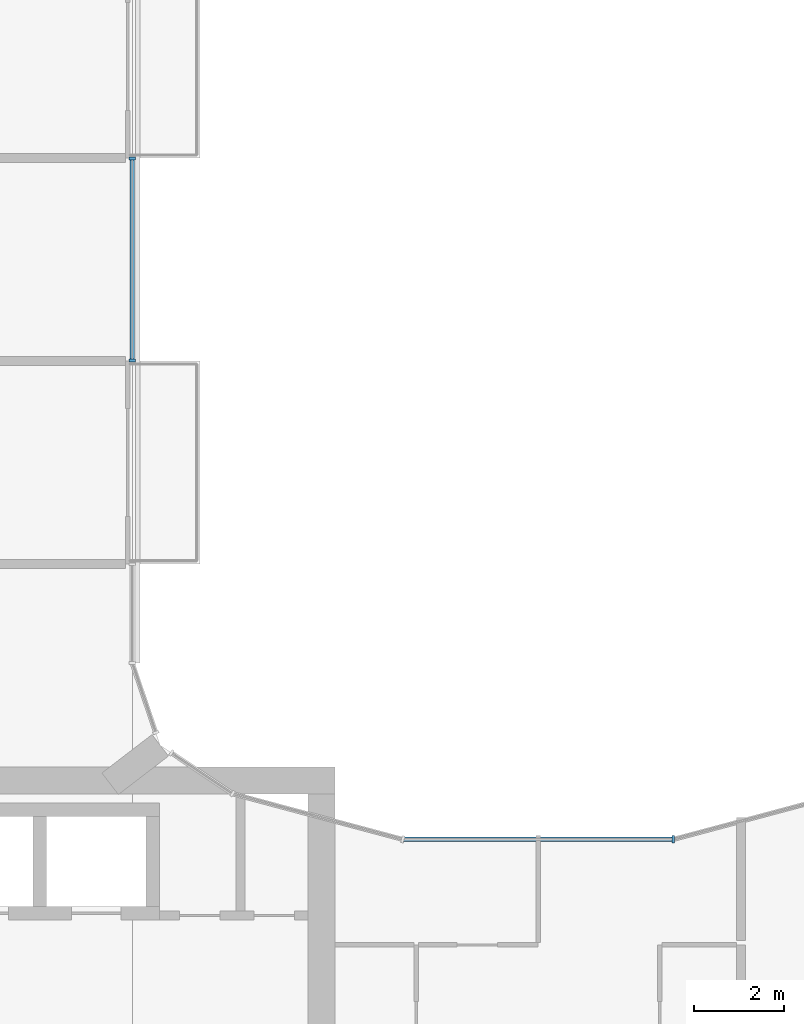
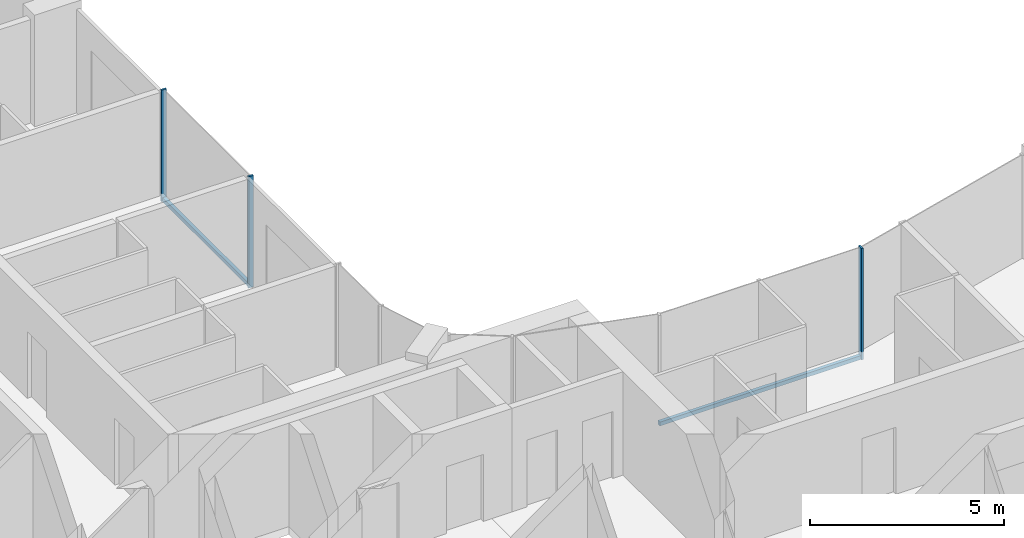
# One storey, part 5 of 17: 5 members, 2 elements without a shape of their own.
"""IFC4 building model written with IfcOpenShell, lengths in metres."""

from ifc_helpers import new_model, si_unit, direction, frame, origin, origin_2d, place, context, subcontext, project, spatial, rectangle, extrude, material, layer, layer_set, material_profile, profile_set, type_object, element, aggregate, save


model = new_model("IFC4")

# Units and contexts
model_context = context("Model", 3, precision=1e-05, world=origin(), true_north=direction((0.0, 1.0)))
body_context = subcontext(model_context, "Body", "Model", "MODEL_VIEW")
ifc_project = project(units=[si_unit("LENGTHUNIT", "METRE"), si_unit("AREAUNIT", "SQUARE_METRE"), si_unit("VOLUMEUNIT", "CUBIC_METRE"), si_unit("PLANEANGLEUNIT", "RADIAN"), si_unit("MASSUNIT", "GRAM", prefix="KILO")], contexts=[model_context])

# Site, building, storey
site_placement = place(None, origin())
site = spatial("IfcSite", under=ifc_project, at=site_placement, CompositionType="ELEMENT")
building_placement = place(site_placement, origin())
building = spatial("IfcBuilding", under=site, at=building_placement, Name="Plateau Cross Towers", CompositionType="ELEMENT")
storey_placement = place(building_placement, frame((0.0, 0.0, 142.89990234375)))
storey = spatial("IfcBuildingStorey", under=building, at=storey_placement, Name="L36", CompositionType="ELEMENT", Elevation=142.89990234375)

# Curtain wall, members
ifc_material_1 = material(Name="Dark low-iron glass", Category="glass")
ifc_layer_1 = layer(ifc_material_1, 0.239990234375)
ifc_layer_set_1 = layer_set([ifc_layer_1], Name="Dark low-iron glass")
curtain_wall_type_1 = type_object("IfcCurtainWallType", Name="Curtain wall flush unitised CW-B", PredefinedType="NOTDEFINED", material=ifc_layer_set_1)
curtain_wall_1_placement = place(storey_placement, origin())
curtain_wall_1 = element("IfcCurtainWall", 1, at=curtain_wall_1_placement, inside=storey, type_object=curtain_wall_type_1, Name="ENV/A/L36/A180_270", PredefinedType="NOTDEFINED")
ifc_material_2 = material(Name="Black anodised aluminium", Category="aluminium")
ifc_material_profile_1 = material_profile(ifc_material_2, rectangle(XDim=0.06005859375, YDim=0.139892578125, at=origin_2d()), Name="MULLION 60x140")
ifc_profile_set_1 = profile_set([ifc_material_profile_1], Name="Black anodised aluminium")
member_type_1 = type_object("IfcMemberType", Name="Mullion 60x140 flush unitised", PredefinedType="MULLION", material=ifc_profile_set_1)
member_1_placement = place(storey_placement, frame((18.0, 27.010009765625, -0.25), z_axis=(0.0, 0.0, 1.0), x_axis=(0.0, 1.0, 0.0)))
member_1 = element("IfcMember", 2, at=member_1_placement, type_object=member_type_1, Name="CW-B mullion 1", PredefinedType="MULLION", context=body_context, shape_type="SweptSolid", body=[
    extrude(rectangle(XDim=0.06005859375, YDim=0.139892578125, at=origin_2d()), origin(), (0.0, 0.0, 1.0), 3.5),
])
member_2_placement = place(storey_placement, frame((18.0, 31.489990234375, -0.25), z_axis=(0.0, 0.0, 1.0), x_axis=(0.0, 1.0, 0.0)))
member_2 = element("IfcMember", 3, at=member_2_placement, type_object=member_type_1, Name="CW-B mullion 2", PredefinedType="MULLION", context=body_context, shape_type="SweptSolid", body=[
    extrude(rectangle(XDim=0.06005859375, YDim=0.139892578125, at=origin_2d()), origin(), (0.0, 0.0, 1.0), 3.5),
])

# Curtain wall, member
ifc_layer_2 = layer(ifc_material_1, 0.260009765625)
ifc_layer_set_2 = layer_set([ifc_layer_2], Name="Dark low-iron glass")
curtain_wall_type_2 = type_object("IfcCurtainWallType", Name="Curtain wall fluted unitised CW-A", PredefinedType="NOTDEFINED", material=ifc_layer_set_2)
curtain_wall_2_placement = place(storey_placement, origin())
curtain_wall_2 = element("IfcCurtainWall", 4, at=curtain_wall_2_placement, inside=storey, type_object=curtain_wall_type_2, Name="ENV/A/L36/A300_164", PredefinedType="NOTDEFINED")
ifc_material_profile_2 = material_profile(ifc_material_2, rectangle(XDim=0.06005859375, YDim=0.159912109375, at=origin_2d()), Name="MULLION 60x160")
ifc_profile_set_2 = profile_set([ifc_material_profile_2], Name="Black anodised aluminium")
member_type_2 = type_object("IfcMemberType", Name="Mullion 60x160 fluted unitised", PredefinedType="MULLION", material=ifc_profile_set_2)
member_3_placement = place(storey_placement, frame((30.0, 16.39306640625, -0.25), z_axis=(0.0, 0.0, 1.0), x_axis=(-1.0, 0.0, 0.0)))
member_3 = element("IfcMember", 5, at=member_3_placement, type_object=member_type_2, Name="CW-A mullion 1", PredefinedType="MULLION", context=body_context, shape_type="SweptSolid", body=[
    extrude(rectangle(XDim=0.06005859375, YDim=0.159912109375, at=origin_2d()), origin(), (0.0, 0.0, 1.0), 3.5),
])

# Member
ifc_material_profile_3 = material_profile(ifc_material_2, rectangle(XDim=0.10009765625, YDim=0.1201171875, at=origin_2d()), Name="TRANSOM 100x120")
ifc_profile_set_3 = profile_set([ifc_material_profile_3], Name="Black anodised aluminium")
member_type_3 = type_object("IfcMemberType", Name="Transom 100x120 flush unitised", PredefinedType="USERDEFINED", material=ifc_profile_set_3)
member_4_placement = place(storey_placement, frame((18.0, 27.010009765625, -0.18994140625), z_axis=(0.0, 1.0, 0.0), x_axis=(-1.0, 0.0, 0.0)))
member_4 = element("IfcMember", 6, at=member_4_placement, type_object=member_type_3, Name="CW-B transom", ObjectType="TRANSOM", PredefinedType="USERDEFINED", context=body_context, shape_type="SweptSolid", body=[
    extrude(rectangle(XDim=0.10009765625, YDim=0.1201171875, at=origin_2d()), origin(), (0.0, 0.0, 1.0), 4.47998046875),
])

aggregate(curtain_wall_1, [member_1, member_2, member_4])

ifc_material_profile_4 = material_profile(ifc_material_2, rectangle(XDim=0.10009765625, YDim=0.1201171875, at=origin_2d()), Name="TRANSOM 100x120")
ifc_profile_set_4 = profile_set([ifc_material_profile_4], Name="Black anodised aluminium")
member_type_4 = type_object("IfcMemberType", Name="Transom 100x120 fluted unitised", PredefinedType="USERDEFINED", material=ifc_profile_set_4)
member_5_placement = place(storey_placement, frame((30.0, 16.39306640625, -0.18994140625), z_axis=(-1.0, 0.0, 0.0), x_axis=(0.0, -1.0, 0.0)))
member_5 = element("IfcMember", 7, at=member_5_placement, type_object=member_type_4, Name="CW-A transom", ObjectType="TRANSOM", PredefinedType="USERDEFINED", context=body_context, shape_type="SweptSolid", body=[
    extrude(rectangle(XDim=0.10009765625, YDim=0.1201171875, at=origin_2d()), origin(), (0.0, 0.0, 1.0), 6.0),
])

aggregate(curtain_wall_2, [member_3, member_5])

save(model, "model.ifc")
